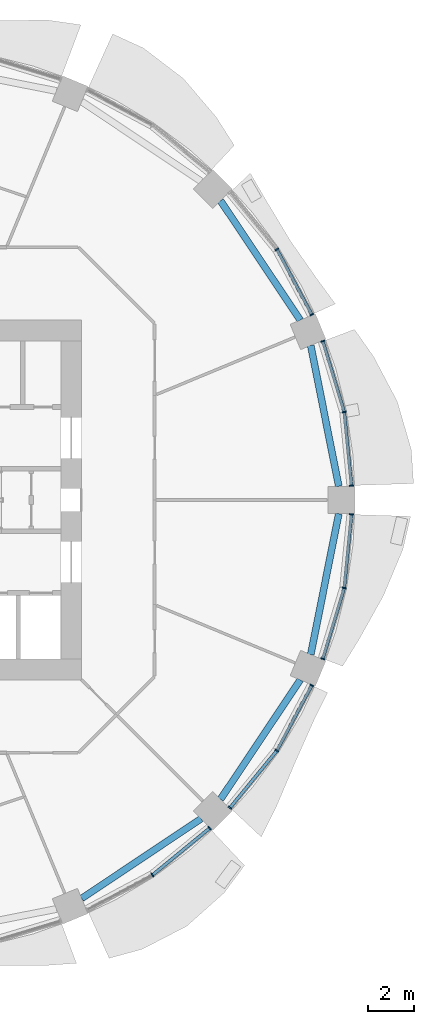
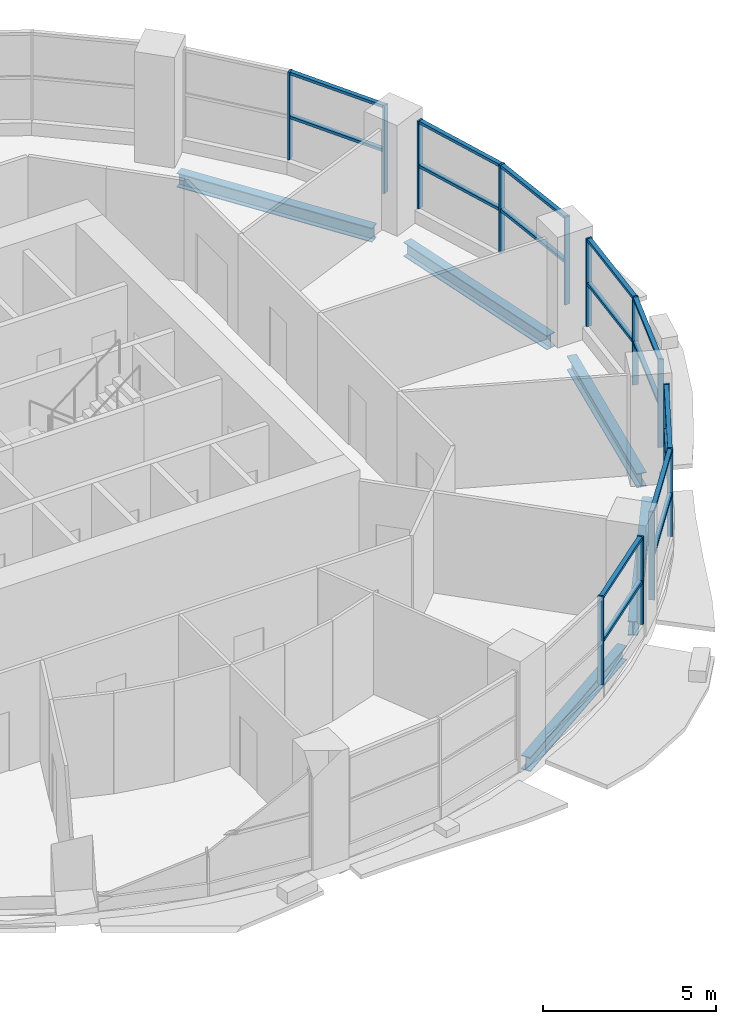
# One storey, part 4 of 15: 29 members, 5 beams, 5 elements without a shape of their own.
"""IFC4 building model written with IfcOpenShell, lengths in metres."""

import ifcopenshell
import ifcopenshell.guid

model = None  # the IFC model being written
_history = None  # IfcOwnerHistory: only IFC2X3 demands one
_inside = {}  # id of a spatial element -> (the spatial element, [elements in it])
_under = {}  # id of a project, library or spatial element -> (it, [spatial elements below it])
_declared = {}  # id of a project -> (the project, [libraries it declares])
_typed = {}  # id of a type object -> (the type object, [elements of that type])
_made_of = {}  # id of a material, layer set ... -> (it, [elements and type objects made of it])


def new_model(schema):
    """Start an empty IFC model of exactly this schema.

    Asked for "IFC4X3", IfcOpenShell would pick the latest addendum, in which some entities
    have other attributes; the version numbers below select the first issue.
    IFC2X3 requires an IfcOwnerHistory on every rooted entity: one is made here for all.
    """
    global model, _history
    if schema == "IFC4X3":
        model = ifcopenshell.file(schema_version=(4, 3, 0, 0))
    else:
        model = ifcopenshell.file(schema=schema)
    _inside.clear()
    _under.clear()
    _declared.clear()
    _typed.clear()
    _made_of.clear()
    _history = None
    if model.schema == "IFC2X3":
        org = make("IfcOrganization", Name="unknown")
        user = make(
            "IfcPersonAndOrganization",
            ThePerson=make("IfcPerson", FamilyName="unknown"),
            TheOrganization=org,
        )
        app = make(
            "IfcApplication",
            ApplicationDeveloper=org,
            Version="unknown",
            ApplicationFullName="unknown",
            ApplicationIdentifier="unknown",
        )
        _history = make(
            "IfcOwnerHistory",
            OwningUser=user,
            OwningApplication=app,
            ChangeAction="ADDED",
            CreationDate=0,
        )
    return model


def make(cls, **values):
    """One entity of the class cls with the attributes given. An attribute that is None is left unset."""
    return model.create_entity(
        cls, **{name: value for name, value in values.items() if value is not None}
    )


def rooted(cls, **values):
    """An entity with a GlobalId (a new one), such as an element, a storey or a relation."""
    return make(cls, GlobalId=ifcopenshell.guid.new(), OwnerHistory=_history, **values)


def si_unit(unit_type, name, prefix=None):
    """IfcSIUnit, for example si_unit("LENGTHUNIT", "METRE", prefix="MILLI")."""
    return make("IfcSIUnit", UnitType=unit_type, Prefix=prefix, Name=name)


def assignment(units):
    """IfcUnitAssignment: the units of a project."""
    return None if units is None else make("IfcUnitAssignment", Units=units)


def point(xyz):
    """IfcCartesianPoint."""
    return None if xyz is None else make("IfcCartesianPoint", Coordinates=xyz)


def direction(xyz):
    """IfcDirection."""
    return None if xyz is None else make("IfcDirection", DirectionRatios=xyz)


def frame(location, z_axis=None, x_axis=None):
    """IfcAxis2Placement3D, a coordinate frame: its origin and axes. An axis left out is left unset."""
    return make(
        "IfcAxis2Placement3D",
        Location=point(location),
        Axis=direction(z_axis),
        RefDirection=direction(x_axis),
    )


def frame_2d(location, x_axis=None):
    """IfcAxis2Placement2D, a coordinate frame in the plane: its origin and x axis."""
    return make(
        "IfcAxis2Placement2D", Location=point(location), RefDirection=direction(x_axis)
    )


def origin():
    """The frame at (0, 0, 0) with its axes left unset."""
    return frame((0.0, 0.0, 0.0))


def origin_2d():
    """The frame at (0, 0) in the plane with its x axis left unset."""
    return frame_2d((0.0, 0.0))


def place(relative_to, where):
    """IfcLocalPlacement: puts the frame where relative to a parent placement (None: the world)."""
    return make(
        "IfcLocalPlacement", PlacementRelTo=relative_to, RelativePlacement=where
    )


def context(
    kind, dimensions, precision=None, world=None, true_north=None, identifier=None
):
    """IfcGeometricRepresentationContext, for example the 3D "Model" context."""
    return make(
        "IfcGeometricRepresentationContext",
        ContextIdentifier=identifier,
        ContextType=kind,
        CoordinateSpaceDimension=dimensions,
        Precision=precision,
        WorldCoordinateSystem=world,
        TrueNorth=true_north,
    )


def subcontext(parent, identifier, kind, view, scale=None):
    """IfcGeometricRepresentationSubContext, for example "Body" below "Model"."""
    return make(
        "IfcGeometricRepresentationSubContext",
        ContextIdentifier=identifier,
        ContextType=kind,
        ParentContext=parent,
        TargetScale=scale,
        TargetView=view,
    )


def project(units=None, contexts=None):
    """IfcProject with its units and contexts."""
    return rooted(
        "IfcProject",
        Name="project",
        RepresentationContexts=contexts,
        UnitsInContext=assignment(units),
    )


def spatial(cls, under=None, at=None, **own):
    """A site, building, storey or space (cls), placed at a placement, below another one or the project."""
    s = rooted(cls, ObjectPlacement=at, **own)
    if under is not None:
        _under.setdefault(under.id(), (under, []))[1].append(s)
    return s


def profile(cls, at=None, kind="AREA", **sizes):
    """A parametric profile (cls). Its sizes go by their IFC names, for example OverallWidth=200.0."""
    return make(cls, ProfileType=kind, Position=at, **sizes)


def rectangle(**sizes):
    """IfcRectangleProfileDef."""
    return profile("IfcRectangleProfileDef", **sizes)


def i_section(**sizes):
    """IfcIShapeProfileDef."""
    return profile("IfcIShapeProfileDef", **sizes)


def extrude(swept, where, along, depth):
    """IfcExtrudedAreaSolid: the profile swept, set in the frame where, extruded along a direction by depth."""
    return make(
        "IfcExtrudedAreaSolid",
        SweptArea=swept,
        Position=where,
        ExtrudedDirection=direction(along),
        Depth=depth,
    )


def shape(context_of_items, identifier, shape_type, items):
    """IfcShapeRepresentation: the items that make up one representation, for example the "Body"."""
    return make(
        "IfcShapeRepresentation",
        ContextOfItems=context_of_items,
        RepresentationIdentifier=identifier,
        RepresentationType=shape_type,
        Items=items,
    )


def material(Name=None, Category=None):
    """IfcMaterial."""
    return make("IfcMaterial", Name=Name, Category=Category)


def material_profile(
    of_material, cross_section, Name=None, Category=None, Priority=None
):
    """IfcMaterialProfile: a cross section and its material."""
    return make(
        "IfcMaterialProfile",
        Name=Name,
        Material=of_material,
        Profile=cross_section,
        Priority=Priority,
        Category=Category,
    )


def profile_set(profiles, Name=None, composite=None):
    """IfcMaterialProfileSet."""
    return make(
        "IfcMaterialProfileSet",
        Name=Name,
        MaterialProfiles=profiles,
        CompositeProfile=composite,
    )


def made_of(thing, what):
    """Note that an element or type object is made of a material, layer set ...; save() writes the relation."""
    if what is not None:
        _made_of.setdefault(what.id(), (what, []))[1].append(thing)
    return thing


def type_object(cls, material=None, **own):
    """A type object (cls), such as IfcWallType, which elements share."""
    return made_of(rooted(cls, **own), material)


def element(
    cls,
    number,
    at=None,
    inside=None,
    cuts=None,
    type_object=None,
    material=None,
    context=None,
    identifier="Body",
    shape_type=None,
    held_by="IfcProductDefinitionShape",
    body=None,
    shapes=None,
    **own,
):
    """One element of the class cls, such as IfcWall. Its Tag is "e" and its number.

    at: its placement. inside: the storey or other place that contains it. cuts: it is an
    opening in that element (IfcRelVoidsElement). A single representation is given by context,
    identifier, shape_type and body (its items); several are given by shapes. held_by: the class
    of the entity that holds the representations. save() writes the other relations.
    """
    e = rooted(cls, Tag="e%d" % number, ObjectPlacement=at, **own)
    if body is not None:
        shapes = [shape(context, identifier, shape_type, body)]
    if shapes is not None:
        e.Representation = make(held_by, Representations=shapes)
    if inside is not None:
        _inside.setdefault(inside.id(), (inside, []))[1].append(e)
    if cuts is not None:
        rooted(
            "IfcRelVoidsElement", RelatingBuildingElement=cuts, RelatedOpeningElement=e
        )
    if type_object is not None:
        _typed.setdefault(type_object.id(), (type_object, []))[1].append(e)
    return made_of(e, material)


def aggregate(whole, parts):
    """IfcRelAggregates: a whole, such as a stair, and the parts it consists of."""
    return rooted("IfcRelAggregates", RelatingObject=whole, RelatedObjects=parts)


def save(model, path):
    """Write the relations noted so far, then the file.

    IfcRelAggregates (storeys below a building ...), IfcRelContainedInSpatialStructure (elements
    in a storey), IfcRelDefinesByType, IfcRelAssociatesMaterial and IfcRelDeclares: one each for
    every whole, place, type object, material and project.
    """
    for whole, parts in _under.values():
        aggregate(whole, parts)
    for where, things in _inside.values():
        rooted(
            "IfcRelContainedInSpatialStructure",
            RelatedElements=things,
            RelatingStructure=where,
        )
    for kind, things in _typed.values():
        rooted("IfcRelDefinesByType", RelatedObjects=things, RelatingType=kind)
    for what, things in _made_of.values():
        rooted("IfcRelAssociatesMaterial", RelatedObjects=things, RelatingMaterial=what)
    for by, libraries in _declared.values():
        rooted("IfcRelDeclares", RelatingContext=by, RelatedDefinitions=libraries)
    model.write(path)


model = new_model("IFC4")

# Units and contexts
model_context = context("Model", 3, precision=1e-05, world=origin(), true_north=direction((0.0, 1.0)))
body_context = subcontext(model_context, "Body", "Model", "MODEL_VIEW")
ifc_project = project(units=[si_unit("LENGTHUNIT", "METRE"), si_unit("AREAUNIT", "SQUARE_METRE"), si_unit("VOLUMEUNIT", "CUBIC_METRE"), si_unit("PLANEANGLEUNIT", "RADIAN"), si_unit("MASSUNIT", "GRAM", prefix="KILO")], contexts=[model_context])

# Site, building, storey
site_placement = place(None, origin())
site = spatial("IfcSite", under=ifc_project, at=site_placement, CompositionType="ELEMENT")
building_placement = place(site_placement, origin())
building = spatial("IfcBuilding", under=site, at=building_placement, Name="Polderwave Tower", CompositionType="ELEMENT")
storey_placement = place(building_placement, frame((0.0, 0.0, 18.5)))
storey = spatial("IfcBuildingStorey", under=building, at=storey_placement, Name="L04", CompositionType="ELEMENT", Elevation=18.5)

# Beams
ifc_material_1 = material(Name="Steel S355", Category="steel")
ifc_material_profile_1 = material_profile(ifc_material_1, i_section(OverallWidth=0.300048828125, OverallDepth=0.5, WebThickness=0.014404296875, FlangeThickness=0.028076171875, at=origin_2d()), Name="HE 500 B")
ifc_profile_set_1 = profile_set([ifc_material_profile_1], Name="Steel S355")
beam_type = type_object("IfcBeamType", Name="RING BEAM HE 500 B", PredefinedType="BEAM", material=ifc_profile_set_1)
for number, where, z_axis, x_axis, name in (
    (1, (19.140625, 0.60009765625, -0.64990234375), (-0.195078706153, 0.980787590871, 0.0), (-0.980787590871, -0.195078706153, 0.0), "ST-RB-L04-00"),
    (2, (17.4541015625, 7.879150390625, -0.64990234375), (-0.555586450698, 0.831458775767, 0.0), (-0.831458775767, -0.555586450698, 0.0), "ST-RB-L04-01"),
    (3, (7.879150390625, -17.4541015625, -0.64990234375), (0.831458775767, 0.555586450698, 0.0), (-0.555586450698, 0.831458775767, 0.0), "ST-RB-L04-13"),
    (4, (13.958740234375, -13.110107421875, -0.64990234375), (0.555586450698, 0.831458775767, 0.0), (-0.831458775767, 0.555586450698, 0.0), "ST-RB-L04-14"),
    (5, (17.913330078125, -6.7705078125, -0.64990234375), (0.195078706153, 0.980787590871, 0.0), (-0.980787590871, 0.195078706153, 0.0), "ST-RB-L04-15"),
):
    element("IfcBeam", number, at=place(storey_placement, frame(where, z_axis=z_axis, x_axis=x_axis)), inside=storey, type_object=beam_type, Name=name, PredefinedType="BEAM", context=body_context, shape_type="SweptSolid", body=[
        extrude(i_section(OverallWidth=0.300048828125, OverallDepth=0.5, WebThickness=0.014404296875, FlangeThickness=0.028076171875, at=origin_2d()), origin(), (0.0, 0.0, 1.0), 6.291259765625),
    ])

# Curtain wall, members
ifc_material_2 = material(Name="Aluminium 6063-T6 and glass", Category="aluminium")
curtain_wall_type = type_object("IfcCurtainWallType", Name="Shopfront glazing wall", PredefinedType="NOTDEFINED", material=ifc_material_2)
curtain_wall_1_placement = place(storey_placement, origin())
curtain_wall_1 = element("IfcCurtainWall", 6, at=curtain_wall_1_placement, inside=storey, type_object=curtain_wall_type, Name="CW1 L04 00", PredefinedType="NOTDEFINED")
ifc_material_3 = material(Name="Aluminium 6063-T6", Category="aluminium")
ifc_material_profile_2 = material_profile(ifc_material_3, rectangle(XDim=0.179931640625, YDim=0.06005859375, at=origin_2d()), Name="AL 60x180")
ifc_profile_set_2 = profile_set([ifc_material_profile_2], Name="Aluminium 6063-T6")
member_type_1 = type_object("IfcMemberType", Name="Shopfront glazing mullion 60x180", PredefinedType="MULLION", material=ifc_profile_set_2)
member_1_placement = place(storey_placement, frame((19.697998046875, 0.6298828125, 0.449951171875), z_axis=(0.0, 0.0, 1.0), x_axis=(-0.995172401617, -0.098142198156, 0.0)))
member_1 = element("IfcMember", 7, at=member_1_placement, type_object=member_type_1, Name="CW1 mullion 1", PredefinedType="MULLION", context=body_context, shape_type="SweptSolid", body=[
    extrude(rectangle(XDim=0.179931640625, YDim=0.06005859375, at=origin_2d()), origin(), (0.0, 0.0, 1.0), 3.10009765625),
])
member_2_placement = place(storey_placement, frame((19.3798828125, 3.85498046875, 0.449951171875), z_axis=(0.0, 0.0, 1.0), x_axis=(-0.980786642367, -0.195083474838, 0.0)))
member_2 = element("IfcMember", 8, at=member_2_placement, type_object=member_type_1, Name="CW1 mullion 2", PredefinedType="MULLION", context=body_context, shape_type="SweptSolid", body=[
    extrude(rectangle(XDim=0.179931640625, YDim=0.06005859375, at=origin_2d()), origin(), (0.0, 0.0, 1.0), 3.10009765625),
])
member_3_placement = place(storey_placement, frame((18.439697265625, 6.956298828125, 0.449951171875), z_axis=(0.0, 0.0, 1.0), x_axis=(-0.956980857791, -0.290151060348, 0.0)))
member_3 = element("IfcMember", 9, at=member_3_placement, type_object=member_type_1, Name="CW1 mullion 3", PredefinedType="MULLION", context=body_context, shape_type="SweptSolid", body=[
    extrude(rectangle(XDim=0.179931640625, YDim=0.06005859375, at=origin_2d()), origin(), (0.0, 0.0, 1.0), 3.10009765625),
])

curtain_wall_2_placement = place(storey_placement, origin())
curtain_wall_2 = element("IfcCurtainWall", 10, at=curtain_wall_2_placement, inside=storey, type_object=curtain_wall_type, Name="CW1 L04 01", PredefinedType="NOTDEFINED")
member_4_placement = place(storey_placement, frame((17.9580078125, 8.12060546875, 0.449951171875), z_axis=(0.0, 0.0, 1.0), x_axis=(-0.881861196987, -0.471509097737, 0.0)))
member_4 = element("IfcMember", 11, at=member_4_placement, type_object=member_type_1, Name="CW1 mullion 1", PredefinedType="MULLION", context=body_context, shape_type="SweptSolid", body=[
    extrude(rectangle(XDim=0.179931640625, YDim=0.06005859375, at=origin_2d()), origin(), (0.0, 0.0, 1.0), 3.10009765625),
])
member_5_placement = place(storey_placement, frame((16.429931640625, 10.97802734375, 0.449951171875), z_axis=(0.0, 0.0, 1.0), x_axis=(-0.83141336817, -0.555654399091, 0.0)))
member_5 = element("IfcMember", 12, at=member_5_placement, type_object=member_type_1, Name="CW1 mullion 2", PredefinedType="MULLION", context=body_context, shape_type="SweptSolid", body=[
    extrude(rectangle(XDim=0.179931640625, YDim=0.06005859375, at=origin_2d()), origin(), (0.0, 0.0, 1.0), 3.10009765625),
])

curtain_wall_3_placement = place(storey_placement, origin())
curtain_wall_3 = element("IfcCurtainWall", 13, at=curtain_wall_3_placement, inside=storey, type_object=curtain_wall_type, Name="CW1 L04 13", PredefinedType="NOTDEFINED")
member_6_placement = place(storey_placement, frame((10.97802734375, -16.429931640625, 0.449951171875), z_axis=(0.0, 0.0, 1.0), x_axis=(-0.555654399091, 0.83141336817, 0.0)))
member_6 = element("IfcMember", 14, at=member_6_placement, type_object=member_type_1, Name="CW1 mullion 2", PredefinedType="MULLION", context=body_context, shape_type="SweptSolid", body=[
    extrude(rectangle(XDim=0.179931640625, YDim=0.06005859375, at=origin_2d()), origin(), (0.0, 0.0, 1.0), 3.10009765625),
])
member_7_placement = place(storey_placement, frame((13.48291015625, -14.3740234375, 0.449951171875), z_axis=(0.0, 0.0, 1.0), x_axis=(-0.634452645234, 0.772961733177, 0.0)))
member_7 = element("IfcMember", 15, at=member_7_placement, type_object=member_type_1, Name="CW1 mullion 3", PredefinedType="MULLION", context=body_context, shape_type="SweptSolid", body=[
    extrude(rectangle(XDim=0.179931640625, YDim=0.06005859375, at=origin_2d()), origin(), (0.0, 0.0, 1.0), 3.10009765625),
])

curtain_wall_4_placement = place(storey_placement, origin())
curtain_wall_4 = element("IfcCurtainWall", 16, at=curtain_wall_4_placement, inside=storey, type_object=curtain_wall_type, Name="CW1 L04 14", PredefinedType="NOTDEFINED")
member_8_placement = place(storey_placement, frame((14.3740234375, -13.48291015625, 0.449951171875), z_axis=(0.0, 0.0, 1.0), x_axis=(-0.772961733177, 0.634452645234, 0.0)))
member_8 = element("IfcMember", 17, at=member_8_placement, type_object=member_type_1, Name="CW1 mullion 1", PredefinedType="MULLION", context=body_context, shape_type="SweptSolid", body=[
    extrude(rectangle(XDim=0.179931640625, YDim=0.06005859375, at=origin_2d()), origin(), (0.0, 0.0, 1.0), 3.10009765625),
])
member_9_placement = place(storey_placement, frame((16.429931640625, -10.97802734375, 0.449951171875), z_axis=(0.0, 0.0, 1.0), x_axis=(-0.83141336817, 0.555654399091, 0.0)))
member_9 = element("IfcMember", 18, at=member_9_placement, type_object=member_type_1, Name="CW1 mullion 2", PredefinedType="MULLION", context=body_context, shape_type="SweptSolid", body=[
    extrude(rectangle(XDim=0.179931640625, YDim=0.06005859375, at=origin_2d()), origin(), (0.0, 0.0, 1.0), 3.10009765625),
])
member_10_placement = place(storey_placement, frame((17.9580078125, -8.12060546875, 0.449951171875), z_axis=(0.0, 0.0, 1.0), x_axis=(-0.881861196987, 0.471509097737, 0.0)))
member_10 = element("IfcMember", 19, at=member_10_placement, type_object=member_type_1, Name="CW1 mullion 3", PredefinedType="MULLION", context=body_context, shape_type="SweptSolid", body=[
    extrude(rectangle(XDim=0.179931640625, YDim=0.06005859375, at=origin_2d()), origin(), (0.0, 0.0, 1.0), 3.10009765625),
])

curtain_wall_5_placement = place(storey_placement, origin())
curtain_wall_5 = element("IfcCurtainWall", 20, at=curtain_wall_5_placement, inside=storey, type_object=curtain_wall_type, Name="CW1 L04 15", PredefinedType="NOTDEFINED")
member_11_placement = place(storey_placement, frame((18.439697265625, -6.956298828125, 0.449951171875), z_axis=(0.0, 0.0, 1.0), x_axis=(-0.956980857791, 0.290151060348, 0.0)))
member_11 = element("IfcMember", 21, at=member_11_placement, type_object=member_type_1, Name="CW1 mullion 1", PredefinedType="MULLION", context=body_context, shape_type="SweptSolid", body=[
    extrude(rectangle(XDim=0.179931640625, YDim=0.06005859375, at=origin_2d()), origin(), (0.0, 0.0, 1.0), 3.10009765625),
])
member_12_placement = place(storey_placement, frame((19.3798828125, -3.85498046875, 0.449951171875), z_axis=(0.0, 0.0, 1.0), x_axis=(-0.980786642367, 0.195083474838, 0.0)))
member_12 = element("IfcMember", 22, at=member_12_placement, type_object=member_type_1, Name="CW1 mullion 2", PredefinedType="MULLION", context=body_context, shape_type="SweptSolid", body=[
    extrude(rectangle(XDim=0.179931640625, YDim=0.06005859375, at=origin_2d()), origin(), (0.0, 0.0, 1.0), 3.10009765625),
])
member_13_placement = place(storey_placement, frame((19.697998046875, -0.6298828125, 0.449951171875), z_axis=(0.0, 0.0, 1.0), x_axis=(-0.995172401617, 0.098142198156, 0.0)))
member_13 = element("IfcMember", 23, at=member_13_placement, type_object=member_type_1, Name="CW1 mullion 3", PredefinedType="MULLION", context=body_context, shape_type="SweptSolid", body=[
    extrude(rectangle(XDim=0.179931640625, YDim=0.06005859375, at=origin_2d()), origin(), (0.0, 0.0, 1.0), 3.10009765625),
])

# Member
ifc_material_profile_3 = material_profile(ifc_material_3, rectangle(XDim=0.139892578125, YDim=0.10009765625, at=origin_2d()), Name="AL 100x140")
ifc_profile_set_3 = profile_set([ifc_material_profile_3], Name="Aluminium 6063-T6")
member_type_2 = type_object("IfcMemberType", Name="Shopfront glazing transom 100x140", PredefinedType="USERDEFINED", material=ifc_profile_set_3)
member_14_placement = place(storey_placement, frame((19.695068359375, 0.65966796875, 1.949951171875), z_axis=(-0.098166163694, 0.995170037886, 0.0), x_axis=(-0.995170037886, -0.098166163694, 0.0)))
member_14 = element("IfcMember", 24, at=member_14_placement, type_object=member_type_2, Name="CW1 transom 1", ObjectType="TRANSOM", PredefinedType="USERDEFINED", context=body_context, shape_type="SweptSolid", body=[
    extrude(rectangle(XDim=0.139892578125, YDim=0.10009765625, at=origin_2d()), origin(), (0.0, 0.0, 1.0), 3.180908203125),
])

member_15_placement = place(storey_placement, frame((19.695068359375, 0.65966796875, 3.5), z_axis=(-0.098166163694, 0.995170037886, 0.0), x_axis=(-0.995170037886, -0.098166163694, 0.0)))
member_15 = element("IfcMember", 25, at=member_15_placement, type_object=member_type_2, Name="CW1 transom 2", ObjectType="TRANSOM", PredefinedType="USERDEFINED", context=body_context, shape_type="SweptSolid", body=[
    extrude(rectangle(XDim=0.139892578125, YDim=0.10009765625, at=origin_2d()), origin(), (0.0, 0.0, 1.0), 3.180908203125),
])

member_16_placement = place(storey_placement, frame((19.371337890625, 3.8837890625, 1.949951171875), z_axis=(-0.290156523701, 0.956979201317, 0.0), x_axis=(-0.956979201317, -0.290156523701, 0.0)))
member_16 = element("IfcMember", 26, at=member_16_placement, type_object=member_type_2, Name="CW1 transom 3", ObjectType="TRANSOM", PredefinedType="USERDEFINED", context=body_context, shape_type="SweptSolid", body=[
    extrude(rectangle(XDim=0.139892578125, YDim=0.10009765625, at=origin_2d()), origin(), (0.0, 0.0, 1.0), 3.180419921875),
])

member_17_placement = place(storey_placement, frame((19.371337890625, 3.8837890625, 3.5), z_axis=(-0.290156523701, 0.956979201317, 0.0), x_axis=(-0.956979201317, -0.290156523701, 0.0)))
member_17 = element("IfcMember", 27, at=member_17_placement, type_object=member_type_2, Name="CW1 transom 4", ObjectType="TRANSOM", PredefinedType="USERDEFINED", context=body_context, shape_type="SweptSolid", body=[
    extrude(rectangle(XDim=0.139892578125, YDim=0.10009765625, at=origin_2d()), origin(), (0.0, 0.0, 1.0), 3.180419921875),
])

aggregate(curtain_wall_1, [member_1, member_2, member_3, member_14, member_15, member_16, member_17])

member_18_placement = place(storey_placement, frame((17.943603515625, 8.14697265625, 1.949951171875), z_axis=(-0.471520367517, 0.881855171225, 0.0), x_axis=(-0.881855171225, -0.471520367517, 0.0)))
member_18 = element("IfcMember", 28, at=member_18_placement, type_object=member_type_2, Name="CW1 transom 1", ObjectType="TRANSOM", PredefinedType="USERDEFINED", context=body_context, shape_type="SweptSolid", body=[
    extrude(rectangle(XDim=0.139892578125, YDim=0.10009765625, at=origin_2d()), origin(), (0.0, 0.0, 1.0), 3.18017578125),
])

member_19_placement = place(storey_placement, frame((17.943603515625, 8.14697265625, 3.5), z_axis=(-0.471520367517, 0.881855171225, 0.0), x_axis=(-0.881855171225, -0.471520367517, 0.0)))
member_19 = element("IfcMember", 29, at=member_19_placement, type_object=member_type_2, Name="CW1 transom 2", ObjectType="TRANSOM", PredefinedType="USERDEFINED", context=body_context, shape_type="SweptSolid", body=[
    extrude(rectangle(XDim=0.139892578125, YDim=0.10009765625, at=origin_2d()), origin(), (0.0, 0.0, 1.0), 3.18017578125),
])

aggregate(curtain_wall_2, [member_4, member_5, member_18, member_19])

member_20_placement = place(storey_placement, frame((11.001220703125, -16.410888671875, 1.949951171875), z_axis=(0.772981671656, 0.634428353152, 0.0), x_axis=(-0.634428353152, 0.772981671656, 0.0)))
member_20 = element("IfcMember", 30, at=member_20_placement, type_object=member_type_2, Name="CW1 transom 3", ObjectType="TRANSOM", PredefinedType="USERDEFINED", context=body_context, shape_type="SweptSolid", body=[
    extrude(rectangle(XDim=0.139892578125, YDim=0.10009765625, at=origin_2d()), origin(), (0.0, 0.0, 1.0), 3.180419921875),
])

member_21_placement = place(storey_placement, frame((11.001220703125, -16.410888671875, 3.5), z_axis=(0.772981671656, 0.634428353152, 0.0), x_axis=(-0.634428353152, 0.772981671656, 0.0)))
member_21 = element("IfcMember", 31, at=member_21_placement, type_object=member_type_2, Name="CW1 transom 4", ObjectType="TRANSOM", PredefinedType="USERDEFINED", context=body_context, shape_type="SweptSolid", body=[
    extrude(rectangle(XDim=0.139892578125, YDim=0.10009765625, at=origin_2d()), origin(), (0.0, 0.0, 1.0), 3.180419921875),
])

aggregate(curtain_wall_3, [member_6, member_7, member_20, member_21])

member_22_placement = place(storey_placement, frame((14.39306640625, -13.459716796875, 1.949951171875), z_axis=(0.634428353152, 0.772981671656, 0.0), x_axis=(-0.772981671656, 0.634428353152, 0.0)))
member_22 = element("IfcMember", 32, at=member_22_placement, type_object=member_type_2, Name="CW1 transom 1", ObjectType="TRANSOM", PredefinedType="USERDEFINED", context=body_context, shape_type="SweptSolid", body=[
    extrude(rectangle(XDim=0.139892578125, YDim=0.10009765625, at=origin_2d()), origin(), (0.0, 0.0, 1.0), 3.180419921875),
])

member_23_placement = place(storey_placement, frame((14.39306640625, -13.459716796875, 3.5), z_axis=(0.634428353152, 0.772981671656, 0.0), x_axis=(-0.772981671656, 0.634428353152, 0.0)))
member_23 = element("IfcMember", 33, at=member_23_placement, type_object=member_type_2, Name="CW1 transom 2", ObjectType="TRANSOM", PredefinedType="USERDEFINED", context=body_context, shape_type="SweptSolid", body=[
    extrude(rectangle(XDim=0.139892578125, YDim=0.10009765625, at=origin_2d()), origin(), (0.0, 0.0, 1.0), 3.180419921875),
])

member_24_placement = place(storey_placement, frame((16.444091796875, -10.951416015625, 1.949951171875), z_axis=(0.471520367517, 0.881855171225, 0.0), x_axis=(-0.881855171225, 0.471520367517, 0.0)))
member_24 = element("IfcMember", 34, at=member_24_placement, type_object=member_type_2, Name="CW1 transom 3", ObjectType="TRANSOM", PredefinedType="USERDEFINED", context=body_context, shape_type="SweptSolid", body=[
    extrude(rectangle(XDim=0.139892578125, YDim=0.10009765625, at=origin_2d()), origin(), (0.0, 0.0, 1.0), 3.18017578125),
])

member_25_placement = place(storey_placement, frame((16.444091796875, -10.951416015625, 3.5), z_axis=(0.471520367517, 0.881855171225, 0.0), x_axis=(-0.881855171225, 0.471520367517, 0.0)))
member_25 = element("IfcMember", 35, at=member_25_placement, type_object=member_type_2, Name="CW1 transom 4", ObjectType="TRANSOM", PredefinedType="USERDEFINED", context=body_context, shape_type="SweptSolid", body=[
    extrude(rectangle(XDim=0.139892578125, YDim=0.10009765625, at=origin_2d()), origin(), (0.0, 0.0, 1.0), 3.18017578125),
])

aggregate(curtain_wall_4, [member_8, member_9, member_10, member_22, member_23, member_24, member_25])

member_26_placement = place(storey_placement, frame((18.448486328125, -6.927490234375, 1.949951171875), z_axis=(0.290156523701, 0.956979201317, 0.0), x_axis=(-0.956979201317, 0.290156523701, 0.0)))
member_26 = element("IfcMember", 36, at=member_26_placement, type_object=member_type_2, Name="CW1 transom 1", ObjectType="TRANSOM", PredefinedType="USERDEFINED", context=body_context, shape_type="SweptSolid", body=[
    extrude(rectangle(XDim=0.139892578125, YDim=0.10009765625, at=origin_2d()), origin(), (0.0, 0.0, 1.0), 3.180419921875),
])

member_27_placement = place(storey_placement, frame((18.448486328125, -6.927490234375, 3.5), z_axis=(0.290156523701, 0.956979201317, 0.0), x_axis=(-0.956979201317, 0.290156523701, 0.0)))
member_27 = element("IfcMember", 37, at=member_27_placement, type_object=member_type_2, Name="CW1 transom 2", ObjectType="TRANSOM", PredefinedType="USERDEFINED", context=body_context, shape_type="SweptSolid", body=[
    extrude(rectangle(XDim=0.139892578125, YDim=0.10009765625, at=origin_2d()), origin(), (0.0, 0.0, 1.0), 3.180419921875),
])

member_28_placement = place(storey_placement, frame((19.3828125, -3.8251953125, 1.949951171875), z_axis=(0.098166163694, 0.995170037886, 0.0), x_axis=(-0.995170037886, 0.098166163694, 0.0)))
member_28 = element("IfcMember", 38, at=member_28_placement, type_object=member_type_2, Name="CW1 transom 3", ObjectType="TRANSOM", PredefinedType="USERDEFINED", context=body_context, shape_type="SweptSolid", body=[
    extrude(rectangle(XDim=0.139892578125, YDim=0.10009765625, at=origin_2d()), origin(), (0.0, 0.0, 1.0), 3.180908203125),
])

member_29_placement = place(storey_placement, frame((19.3828125, -3.8251953125, 3.5), z_axis=(0.098166163694, 0.995170037886, 0.0), x_axis=(-0.995170037886, 0.098166163694, 0.0)))
member_29 = element("IfcMember", 39, at=member_29_placement, type_object=member_type_2, Name="CW1 transom 4", ObjectType="TRANSOM", PredefinedType="USERDEFINED", context=body_context, shape_type="SweptSolid", body=[
    extrude(rectangle(XDim=0.139892578125, YDim=0.10009765625, at=origin_2d()), origin(), (0.0, 0.0, 1.0), 3.180908203125),
])

aggregate(curtain_wall_5, [member_11, member_12, member_13, member_26, member_27, member_28, member_29])

save(model, "model.ifc")
